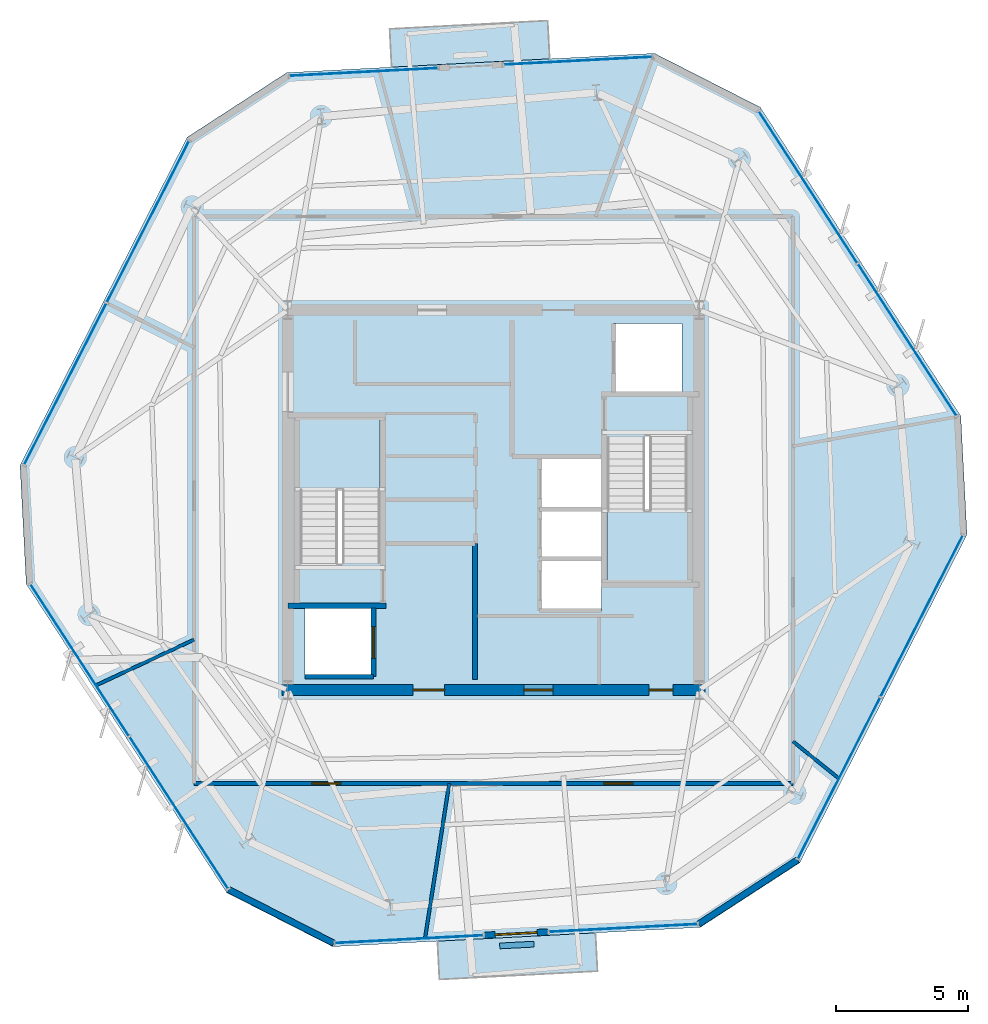
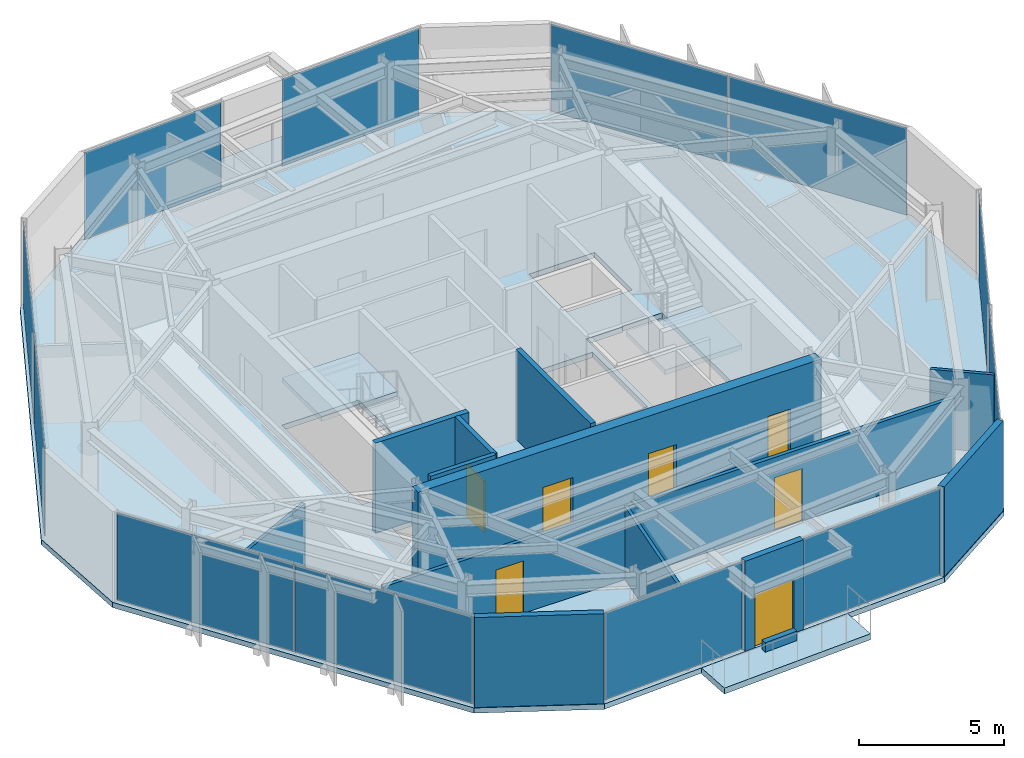
# One storey, part 5 of 11: 13 walls, 12 plates, 7 doors, 5 slabs, 7 openings, 10 elements without a shape of their own.
"""IFC4 building model written with IfcOpenShell, lengths in metres."""

import ifcopenshell
import ifcopenshell.guid

model = None  # the IFC model being written
_history = None  # IfcOwnerHistory: only IFC2X3 demands one
_inside = {}  # id of a spatial element -> (the spatial element, [elements in it])
_under = {}  # id of a project, library or spatial element -> (it, [spatial elements below it])
_declared = {}  # id of a project -> (the project, [libraries it declares])
_typed = {}  # id of a type object -> (the type object, [elements of that type])
_made_of = {}  # id of a material, layer set ... -> (it, [elements and type objects made of it])


def new_model(schema):
    """Start an empty IFC model of exactly this schema.

    Asked for "IFC4X3", IfcOpenShell would pick the latest addendum, in which some entities
    have other attributes; the version numbers below select the first issue.
    IFC2X3 requires an IfcOwnerHistory on every rooted entity: one is made here for all.
    """
    global model, _history
    if schema == "IFC4X3":
        model = ifcopenshell.file(schema_version=(4, 3, 0, 0))
    else:
        model = ifcopenshell.file(schema=schema)
    _inside.clear()
    _under.clear()
    _declared.clear()
    _typed.clear()
    _made_of.clear()
    _history = None
    if model.schema == "IFC2X3":
        org = make("IfcOrganization", Name="unknown")
        user = make(
            "IfcPersonAndOrganization",
            ThePerson=make("IfcPerson", FamilyName="unknown"),
            TheOrganization=org,
        )
        app = make(
            "IfcApplication",
            ApplicationDeveloper=org,
            Version="unknown",
            ApplicationFullName="unknown",
            ApplicationIdentifier="unknown",
        )
        _history = make(
            "IfcOwnerHistory",
            OwningUser=user,
            OwningApplication=app,
            ChangeAction="ADDED",
            CreationDate=0,
        )
    return model


def make(cls, **values):
    """One entity of the class cls with the attributes given. An attribute that is None is left unset."""
    return model.create_entity(
        cls, **{name: value for name, value in values.items() if value is not None}
    )


def rooted(cls, **values):
    """An entity with a GlobalId (a new one), such as an element, a storey or a relation."""
    return make(cls, GlobalId=ifcopenshell.guid.new(), OwnerHistory=_history, **values)


def si_unit(unit_type, name, prefix=None):
    """IfcSIUnit, for example si_unit("LENGTHUNIT", "METRE", prefix="MILLI")."""
    return make("IfcSIUnit", UnitType=unit_type, Prefix=prefix, Name=name)


def assignment(units):
    """IfcUnitAssignment: the units of a project."""
    return None if units is None else make("IfcUnitAssignment", Units=units)


def point(xyz):
    """IfcCartesianPoint."""
    return None if xyz is None else make("IfcCartesianPoint", Coordinates=xyz)


def direction(xyz):
    """IfcDirection."""
    return None if xyz is None else make("IfcDirection", DirectionRatios=xyz)


def frame(location, z_axis=None, x_axis=None):
    """IfcAxis2Placement3D, a coordinate frame: its origin and axes. An axis left out is left unset."""
    return make(
        "IfcAxis2Placement3D",
        Location=point(location),
        Axis=direction(z_axis),
        RefDirection=direction(x_axis),
    )


def frame_2d(location, x_axis=None):
    """IfcAxis2Placement2D, a coordinate frame in the plane: its origin and x axis."""
    return make(
        "IfcAxis2Placement2D", Location=point(location), RefDirection=direction(x_axis)
    )


def origin():
    """The frame at (0, 0, 0) with its axes left unset."""
    return frame((0.0, 0.0, 0.0))


def origin_2d():
    """The frame at (0, 0) in the plane with its x axis left unset."""
    return frame_2d((0.0, 0.0))


def place(relative_to, where):
    """IfcLocalPlacement: puts the frame where relative to a parent placement (None: the world)."""
    return make(
        "IfcLocalPlacement", PlacementRelTo=relative_to, RelativePlacement=where
    )


def context(
    kind, dimensions, precision=None, world=None, true_north=None, identifier=None
):
    """IfcGeometricRepresentationContext, for example the 3D "Model" context."""
    return make(
        "IfcGeometricRepresentationContext",
        ContextIdentifier=identifier,
        ContextType=kind,
        CoordinateSpaceDimension=dimensions,
        Precision=precision,
        WorldCoordinateSystem=world,
        TrueNorth=true_north,
    )


def subcontext(parent, identifier, kind, view, scale=None):
    """IfcGeometricRepresentationSubContext, for example "Body" below "Model"."""
    return make(
        "IfcGeometricRepresentationSubContext",
        ContextIdentifier=identifier,
        ContextType=kind,
        ParentContext=parent,
        TargetScale=scale,
        TargetView=view,
    )


def project(units=None, contexts=None):
    """IfcProject with its units and contexts."""
    return rooted(
        "IfcProject",
        Name="project",
        RepresentationContexts=contexts,
        UnitsInContext=assignment(units),
    )


def spatial(cls, under=None, at=None, **own):
    """A site, building, storey or space (cls), placed at a placement, below another one or the project."""
    s = rooted(cls, ObjectPlacement=at, **own)
    if under is not None:
        _under.setdefault(under.id(), (under, []))[1].append(s)
    return s


def polyline(points):
    """IfcPolyline through the points."""
    return make("IfcPolyline", Points=[point(p) for p in points])


def profile(cls, at=None, kind="AREA", **sizes):
    """A parametric profile (cls). Its sizes go by their IFC names, for example OverallWidth=200.0."""
    return make(cls, ProfileType=kind, Position=at, **sizes)


def rectangle(**sizes):
    """IfcRectangleProfileDef."""
    return profile("IfcRectangleProfileDef", **sizes)


def outline(outer, holes=None, kind="AREA"):
    """IfcArbitraryClosedProfileDef: a profile drawn as a closed curve; with holes, ...WithVoids."""
    if holes is None:
        return make("IfcArbitraryClosedProfileDef", ProfileType=kind, OuterCurve=outer)
    return make(
        "IfcArbitraryProfileDefWithVoids",
        ProfileType=kind,
        OuterCurve=outer,
        InnerCurves=holes,
    )


def extrude(swept, where, along, depth):
    """IfcExtrudedAreaSolid: the profile swept, set in the frame where, extruded along a direction by depth."""
    return make(
        "IfcExtrudedAreaSolid",
        SweptArea=swept,
        Position=where,
        ExtrudedDirection=direction(along),
        Depth=depth,
    )


def shape(context_of_items, identifier, shape_type, items):
    """IfcShapeRepresentation: the items that make up one representation, for example the "Body"."""
    return make(
        "IfcShapeRepresentation",
        ContextOfItems=context_of_items,
        RepresentationIdentifier=identifier,
        RepresentationType=shape_type,
        Items=items,
    )


def material(Name=None, Category=None):
    """IfcMaterial."""
    return make("IfcMaterial", Name=Name, Category=Category)


def layer(
    of_material, thickness, ventilated=None, Name=None, Category=None, Priority=None
):
    """IfcMaterialLayer: one layer of a wall or slab, of a material (None: an air gap)."""
    return make(
        "IfcMaterialLayer",
        Material=of_material,
        LayerThickness=thickness,
        IsVentilated=ventilated,
        Name=Name,
        Category=Category,
        Priority=Priority,
    )


def layer_set(layers, Name=None):
    """IfcMaterialLayerSet."""
    return make("IfcMaterialLayerSet", MaterialLayers=layers, LayerSetName=Name)


def made_of(thing, what):
    """Note that an element or type object is made of a material, layer set ...; save() writes the relation."""
    if what is not None:
        _made_of.setdefault(what.id(), (what, []))[1].append(thing)
    return thing


def type_object(cls, material=None, **own):
    """A type object (cls), such as IfcWallType, which elements share."""
    return made_of(rooted(cls, **own), material)


def element(
    cls,
    number,
    at=None,
    inside=None,
    cuts=None,
    type_object=None,
    material=None,
    context=None,
    identifier="Body",
    shape_type=None,
    held_by="IfcProductDefinitionShape",
    body=None,
    shapes=None,
    **own,
):
    """One element of the class cls, such as IfcWall. Its Tag is "e" and its number.

    at: its placement. inside: the storey or other place that contains it. cuts: it is an
    opening in that element (IfcRelVoidsElement). A single representation is given by context,
    identifier, shape_type and body (its items); several are given by shapes. held_by: the class
    of the entity that holds the representations. save() writes the other relations.
    """
    e = rooted(cls, Tag="e%d" % number, ObjectPlacement=at, **own)
    if body is not None:
        shapes = [shape(context, identifier, shape_type, body)]
    if shapes is not None:
        e.Representation = make(held_by, Representations=shapes)
    if inside is not None:
        _inside.setdefault(inside.id(), (inside, []))[1].append(e)
    if cuts is not None:
        rooted(
            "IfcRelVoidsElement", RelatingBuildingElement=cuts, RelatedOpeningElement=e
        )
    if type_object is not None:
        _typed.setdefault(type_object.id(), (type_object, []))[1].append(e)
    return made_of(e, material)


def fill(opening, filler):
    """IfcRelFillsElement: the door or window that sits in an opening."""
    return rooted(
        "IfcRelFillsElement",
        RelatingOpeningElement=opening,
        RelatedBuildingElement=filler,
    )


def aggregate(whole, parts):
    """IfcRelAggregates: a whole, such as a stair, and the parts it consists of."""
    return rooted("IfcRelAggregates", RelatingObject=whole, RelatedObjects=parts)


def save(model, path):
    """Write the relations noted so far, then the file.

    IfcRelAggregates (storeys below a building ...), IfcRelContainedInSpatialStructure (elements
    in a storey), IfcRelDefinesByType, IfcRelAssociatesMaterial and IfcRelDeclares: one each for
    every whole, place, type object, material and project.
    """
    for whole, parts in _under.values():
        aggregate(whole, parts)
    for where, things in _inside.values():
        rooted(
            "IfcRelContainedInSpatialStructure",
            RelatedElements=things,
            RelatingStructure=where,
        )
    for kind, things in _typed.values():
        rooted("IfcRelDefinesByType", RelatedObjects=things, RelatingType=kind)
    for what, things in _made_of.values():
        rooted("IfcRelAssociatesMaterial", RelatedObjects=things, RelatingMaterial=what)
    for by, libraries in _declared.values():
        rooted("IfcRelDeclares", RelatingContext=by, RelatedDefinitions=libraries)
    model.write(path)


model = new_model("IFC4")

# Units and contexts
model_context = context("Model", 3, precision=1e-05, world=origin(), true_north=direction((0.0, 1.0)))
body_context = subcontext(model_context, "Body", "Model", "MODEL_VIEW")
ifc_project = project(units=[si_unit("LENGTHUNIT", "METRE"), si_unit("AREAUNIT", "SQUARE_METRE"), si_unit("VOLUMEUNIT", "CUBIC_METRE"), si_unit("PLANEANGLEUNIT", "RADIAN"), si_unit("MASSUNIT", "GRAM", prefix="KILO")], contexts=[model_context])

# Site, building, storey
site_placement = place(None, origin())
site = spatial("IfcSite", under=ifc_project, at=site_placement, CompositionType="ELEMENT")
building_placement = place(site_placement, origin())
building = spatial("IfcBuilding", under=site, at=building_placement, Name="Kranzbogen Civic Tower", CompositionType="ELEMENT")
storey_placement = place(building_placement, frame((0.0, 0.0, 278.199951171875)))
storey = spatial("IfcBuildingStorey", under=building, at=storey_placement, Name="L67", CompositionType="ELEMENT", Elevation=278.199951171875)

# Slab
ifc_material_1 = material(Name="Concrete C40/50", Category="concrete")
ifc_layer_1 = layer(ifc_material_1, 0.219970703125, Name="Concrete C40/50")
ifc_layer_set_1 = layer_set([ifc_layer_1], Name="Concrete C40/50")
slab_type_1 = type_object("IfcSlabType", Name="Composite Upper Tower Floor Slab 220 mm", PredefinedType="FLOOR", material=ifc_layer_set_1)
slab_1_placement = place(storey_placement, frame((0.0, 0.0, -0.219970703125)))
element("IfcSlab", 1, at=slab_1_placement, inside=storey, type_object=slab_type_1, Name="L67 tower floor slab", PredefinedType="FLOOR", context=body_context, shape_type="SweptSolid", body=[
    extrude(outline(polyline([(31.10302734375, 41.93408203125), (17.159912109375, 41.202880859375), (13.385986328125, 38.7529296875), (7.048095703125, 26.31201171875), (7.282958984375, 21.818115234375), (14.886962890625, 10.10888671875), (18.89697265625, 8.06591796875), (32.840087890625, 8.797119140625), (36.614013671875, 11.2470703125), (42.951904296875, 23.68798828125), (42.717041015625, 28.181884765625), (35.113037109375, 39.89111328125), (31.10302734375, 41.93408203125)]), holes=[polyline([(17.85009765625, 20.89990234375), (20.449951171875, 20.89990234375), (20.449951171875, 18.300048828125), (17.85009765625, 18.300048828125), (17.85009765625, 20.89990234375)]), polyline([(29.10009765625, 22.699951171875), (29.10009765625, 20.800048828125), (26.75, 20.800048828125), (26.75, 22.699951171875), (29.10009765625, 22.699951171875)]), polyline([(29.10009765625, 24.64990234375), (29.10009765625, 22.77490234375), (26.75, 22.77490234375), (26.75, 24.64990234375), (26.75, 24.675048828125), (26.75, 26.550048828125), (29.10009765625, 26.550048828125), (29.10009765625, 24.675048828125), (29.10009765625, 24.64990234375)]), polyline([(29.300048828125, 27.340087890625), (30.75, 27.340087890625), (30.75, 27.39990234375), (32.35009765625, 27.39990234375), (32.35009765625, 21.89990234375), (29.300048828125, 21.89990234375), (29.300048828125, 27.340087890625)]), polyline([(20.699951171875, 22.659912109375), (19.25, 22.659912109375), (19.25, 22.60009765625), (17.64990234375, 22.60009765625), (17.64990234375, 28.10009765625), (20.699951171875, 28.10009765625), (20.699951171875, 22.659912109375)]), polyline([(32.14990234375, 31.699951171875), (32.14990234375, 29.10009765625), (29.550048828125, 29.10009765625), (29.550048828125, 31.699951171875), (32.14990234375, 31.699951171875)])]), origin(), (0.0, 0.0, 1.0), 0.219970703125),
])

# Curtain wall, plate
ifc_material_2 = material(Name="Pale Anodised Aluminium", Category="aluminium")
ifc_layer_2 = layer(ifc_material_2, 0.219970703125, Name="Pale Anodised Aluminium")
ifc_layer_set_2 = layer_set([ifc_layer_2], Name="Pale Anodised Aluminium")
curtain_wall_type = type_object("IfcCurtainWallType", Name="Zone 4 Stick Curtain Wall System CW-05", PredefinedType="USERDEFINED", material=ifc_layer_set_2)
curtain_wall_1_placement = place(storey_placement, origin())
curtain_wall_1 = element("IfcCurtainWall", 2, at=curtain_wall_1_placement, inside=storey, type_object=curtain_wall_type, Name="L67 curtain wall CW-L67-F1-S1", ObjectType="STICK CURTAIN WALL", PredefinedType="USERDEFINED")
ifc_material_3 = material(Name="Low-E Triple Glazing Glass", Category="glass")
ifc_layer_3 = layer(ifc_material_3, 0.028076171875, Name="Low-E Triple Glazing Glass")
ifc_layer_set_3 = layer_set([ifc_layer_3], Name="Low-E Triple Glazing Glass")
plate_type = type_object("IfcPlateType", Name="Insulated Low-E Glazing Panel 28 mm", PredefinedType="CURTAIN_PANEL", material=ifc_layer_set_3)
plate_1_placement = place(storey_placement, frame((28.196533203125, 41.652099609375, 0.06005859375), z_axis=(0.0, 0.0, 1.0), x_axis=(-0.998626979061, -0.052384699027, 0.0)))
plate_1 = element("IfcPlate", 3, at=plate_1_placement, type_object=plate_type, Name="CW-05 panel 1.1", PredefinedType="CURTAIN_PANEL", context=body_context, shape_type="SweptSolid", body=[
    extrude(rectangle(XDim=5.60693359375, YDim=0.028076171875, at=origin_2d()), origin(), (0.0, 0.0, 1.0), 3.659912109375),
])
aggregate(curtain_wall_1, [plate_1])

curtain_wall_2_placement = place(storey_placement, origin())
curtain_wall_2 = element("IfcCurtainWall", 4, at=curtain_wall_2_placement, inside=storey, type_object=curtain_wall_type, Name="L67 curtain wall CW-L67-F1-S2", ObjectType="STICK CURTAIN WALL", PredefinedType="USERDEFINED")
plate_2_placement = place(storey_placement, frame((20.08056640625, 41.22705078125, 0.06005859375), z_axis=(0.0, 0.0, 1.0), x_axis=(-0.998626979061, -0.052384699027, 0.0)))
plate_2 = element("IfcPlate", 5, at=plate_2_placement, type_object=plate_type, Name="CW-05 panel 1.1", PredefinedType="CURTAIN_PANEL", context=body_context, shape_type="SweptSolid", body=[
    extrude(rectangle(XDim=5.60693359375, YDim=0.028076171875, at=origin_2d()), origin(), (0.0, 0.0, 1.0), 3.659912109375),
])
aggregate(curtain_wall_2, [plate_2])

# Curtain wall, plates
curtain_wall_3_placement = place(storey_placement, origin())
curtain_wall_3 = element("IfcCurtainWall", 6, at=curtain_wall_3_placement, inside=storey, type_object=curtain_wall_type, Name="L67 curtain wall CW-L67-F2", ObjectType="STICK CURTAIN WALL", PredefinedType="USERDEFINED")
plate_3_placement = place(storey_placement, frame((11.897216796875, 35.546630859375, 0.06005859375), z_axis=(0.0, 0.0, 1.0), x_axis=(-0.453899828869, -0.891052717494, 0.0)))
plate_3 = element("IfcPlate", 7, at=plate_3_placement, type_object=plate_type, Name="CW-05 panel 1.1", PredefinedType="CURTAIN_PANEL", context=body_context, shape_type="SweptSolid", body=[
    extrude(rectangle(XDim=6.836669921875, YDim=0.028076171875, at=origin_2d()), origin(), (0.0, 0.0, 1.0), 3.659912109375),
])
plate_4_placement = place(storey_placement, frame((8.766845703125, 29.4013671875, 0.06005859375), z_axis=(0.0, 0.0, 1.0), x_axis=(-0.453899828869, -0.891052717494, 0.0)))
plate_4 = element("IfcPlate", 8, at=plate_4_placement, type_object=plate_type, Name="CW-05 panel 2.1", PredefinedType="CURTAIN_PANEL", context=body_context, shape_type="SweptSolid", body=[
    extrude(rectangle(XDim=6.836669921875, YDim=0.028076171875, at=origin_2d()), origin(), (0.0, 0.0, 1.0), 3.659912109375),
])
aggregate(curtain_wall_3, [plate_3, plate_4])

curtain_wall_4_placement = place(storey_placement, origin())
curtain_wall_4 = element("IfcCurtainWall", 9, at=curtain_wall_4_placement, inside=storey, type_object=curtain_wall_type, Name="L67 curtain wall CW-L67-F3", ObjectType="STICK CURTAIN WALL", PredefinedType="USERDEFINED")
plate_5_placement = place(storey_placement, frame((9.3154296875, 18.926025390625, 0.06005859375), z_axis=(0.0, 0.0, 1.0), x_axis=(0.544648305375, -0.838664547631, 0.0)))
plate_5 = element("IfcPlate", 10, at=plate_5_placement, type_object=plate_type, Name="CW-05 panel 1.1", PredefinedType="CURTAIN_PANEL", context=body_context, shape_type="SweptSolid", body=[
    extrude(rectangle(XDim=6.83642578125, YDim=0.028076171875, at=origin_2d()), origin(), (0.0, 0.0, 1.0), 3.659912109375),
])
plate_6_placement = place(storey_placement, frame((13.071533203125, 13.14208984375, 0.06005859375), z_axis=(0.0, 0.0, 1.0), x_axis=(0.544648305375, -0.838664547631, 0.0)))
plate_6 = element("IfcPlate", 11, at=plate_6_placement, type_object=plate_type, Name="CW-05 panel 2.1", PredefinedType="CURTAIN_PANEL", context=body_context, shape_type="SweptSolid", body=[
    extrude(rectangle(XDim=6.83642578125, YDim=0.028076171875, at=origin_2d()), origin(), (0.0, 0.0, 1.0), 3.659912109375),
])
aggregate(curtain_wall_4, [plate_5, plate_6])

# Curtain wall, plate
curtain_wall_5_placement = place(storey_placement, origin())
curtain_wall_5 = element("IfcCurtainWall", 12, at=curtain_wall_5_placement, inside=storey, type_object=curtain_wall_type, Name="L67 curtain wall CW-L67-F4-S1", ObjectType="STICK CURTAIN WALL", PredefinedType="USERDEFINED")
plate_7_placement = place(storey_placement, frame((21.803466796875, 8.347900390625, 0.06005859375), z_axis=(0.0, 0.0, 1.0), x_axis=(0.998626979061, 0.052384699027, 0.0)))
plate_7 = element("IfcPlate", 13, at=plate_7_placement, type_object=plate_type, Name="CW-05 panel 1.1", PredefinedType="CURTAIN_PANEL", context=body_context, shape_type="SweptSolid", body=[
    extrude(rectangle(XDim=5.60693359375, YDim=0.028076171875, at=origin_2d()), origin(), (0.0, 0.0, 1.0), 3.659912109375),
])
aggregate(curtain_wall_5, [plate_7])

curtain_wall_6_placement = place(storey_placement, origin())
curtain_wall_6 = element("IfcCurtainWall", 14, at=curtain_wall_6_placement, inside=storey, type_object=curtain_wall_type, Name="L67 curtain wall CW-L67-F4-S2", ObjectType="STICK CURTAIN WALL", PredefinedType="USERDEFINED")
plate_8_placement = place(storey_placement, frame((29.91943359375, 8.77294921875, 0.06005859375), z_axis=(0.0, 0.0, 1.0), x_axis=(0.998626979061, 0.052384699027, 0.0)))
plate_8 = element("IfcPlate", 15, at=plate_8_placement, type_object=plate_type, Name="CW-05 panel 1.1", PredefinedType="CURTAIN_PANEL", context=body_context, shape_type="SweptSolid", body=[
    extrude(rectangle(XDim=5.60693359375, YDim=0.028076171875, at=origin_2d()), origin(), (0.0, 0.0, 1.0), 3.659912109375),
])
aggregate(curtain_wall_6, [plate_8])

# Curtain wall, plates
curtain_wall_7_placement = place(storey_placement, origin())
curtain_wall_7 = element("IfcCurtainWall", 16, at=curtain_wall_7_placement, inside=storey, type_object=curtain_wall_type, Name="L67 curtain wall CW-L67-F5", ObjectType="STICK CURTAIN WALL", PredefinedType="USERDEFINED")
plate_9_placement = place(storey_placement, frame((38.102783203125, 14.453369140625, 0.06005859375), z_axis=(0.0, 0.0, 1.0), x_axis=(0.453899828869, 0.891052717494, 0.0)))
plate_9 = element("IfcPlate", 17, at=plate_9_placement, type_object=plate_type, Name="CW-05 panel 1.1", PredefinedType="CURTAIN_PANEL", context=body_context, shape_type="SweptSolid", body=[
    extrude(rectangle(XDim=6.836669921875, YDim=0.028076171875, at=origin_2d()), origin(), (0.0, 0.0, 1.0), 3.659912109375),
])
plate_10_placement = place(storey_placement, frame((41.233154296875, 20.5986328125, 0.06005859375), z_axis=(0.0, 0.0, 1.0), x_axis=(0.453899828869, 0.891052717494, 0.0)))
plate_10 = element("IfcPlate", 18, at=plate_10_placement, type_object=plate_type, Name="CW-05 panel 2.1", PredefinedType="CURTAIN_PANEL", context=body_context, shape_type="SweptSolid", body=[
    extrude(rectangle(XDim=6.836669921875, YDim=0.028076171875, at=origin_2d()), origin(), (0.0, 0.0, 1.0), 3.659912109375),
])
aggregate(curtain_wall_7, [plate_9, plate_10])

curtain_wall_8_placement = place(storey_placement, origin())
curtain_wall_8 = element("IfcCurtainWall", 19, at=curtain_wall_8_placement, inside=storey, type_object=curtain_wall_type, Name="L67 curtain wall CW-L67-F6", ObjectType="STICK CURTAIN WALL", PredefinedType="USERDEFINED")
plate_11_placement = place(storey_placement, frame((40.6845703125, 31.073974609375, 0.06005859375), z_axis=(0.0, 0.0, 1.0), x_axis=(-0.544648305375, 0.838664547631, 0.0)))
plate_11 = element("IfcPlate", 20, at=plate_11_placement, type_object=plate_type, Name="CW-05 panel 1.1", PredefinedType="CURTAIN_PANEL", context=body_context, shape_type="SweptSolid", body=[
    extrude(rectangle(XDim=6.83642578125, YDim=0.028076171875, at=origin_2d()), origin(), (0.0, 0.0, 1.0), 3.659912109375),
])
plate_12_placement = place(storey_placement, frame((36.928466796875, 36.85791015625, 0.06005859375), z_axis=(0.0, 0.0, 1.0), x_axis=(-0.544648305375, 0.838664547631, 0.0)))
plate_12 = element("IfcPlate", 21, at=plate_12_placement, type_object=plate_type, Name="CW-05 panel 2.1", PredefinedType="CURTAIN_PANEL", context=body_context, shape_type="SweptSolid", body=[
    extrude(rectangle(XDim=6.83642578125, YDim=0.028076171875, at=origin_2d()), origin(), (0.0, 0.0, 1.0), 3.659912109375),
])
aggregate(curtain_wall_8, [plate_11, plate_12])

# Stair, slab
ifc_material_4 = material(Name="Precast concrete C40/50", Category="concrete")
stair_type_1 = type_object("IfcStairType", Name="Tower Core Pressurized Dogleg Stair 1450", PredefinedType="HALF_TURN_STAIR", material=ifc_material_4)
stair_1_placement = place(storey_placement, origin())
stair_1 = element("IfcStair", 22, at=stair_1_placement, inside=storey, type_object=stair_type_1, Name="L67 Tower Core Pressurized Stair 1", PredefinedType="HALF_TURN_STAIR")
ifc_layer_4 = layer(ifc_material_4, 0.199951171875, Name="Precast concrete C40/50")
ifc_layer_set_4 = layer_set([ifc_layer_4], Name="Precast concrete C40/50")
slab_type_2 = type_object("IfcSlabType", Name="Precast Concrete Stair Landing Slab 200 mm", PredefinedType="LANDING", material=ifc_layer_set_4)
slab_2_placement = place(storey_placement, frame((0.0, 0.0, 1.800048828125)))
slab_2 = element("IfcSlab", 23, at=slab_2_placement, type_object=slab_type_2, Name="ST-T1 landing 1", PredefinedType="LANDING", context=body_context, shape_type="SweptSolid", body=[
    extrude(outline(polyline([(20.699951171875, 25.39990234375), (20.699951171875, 28.10009765625), (17.64990234375, 28.10009765625), (17.64990234375, 25.39990234375), (20.699951171875, 25.39990234375)])), origin(), (0.0, 0.0, 1.0), 0.199951171875),
])
aggregate(stair_1, [slab_2])

stair_type_2 = type_object("IfcStairType", Name="Tower Core Secondary Dogleg Stair 1450", PredefinedType="HALF_TURN_STAIR", material=ifc_material_4)
stair_2_placement = place(storey_placement, origin())
stair_2 = element("IfcStair", 24, at=stair_2_placement, inside=storey, type_object=stair_type_2, Name="L67 Tower Core Pressurized Stair 2", PredefinedType="HALF_TURN_STAIR")
slab_3_placement = place(storey_placement, frame((0.0, 0.0, 1.800048828125)))
slab_3 = element("IfcSlab", 25, at=slab_3_placement, type_object=slab_type_2, Name="ST-T2 landing 1", PredefinedType="LANDING", context=body_context, shape_type="SweptSolid", body=[
    extrude(outline(polyline([(29.300048828125, 24.60009765625), (29.300048828125, 21.89990234375), (32.35009765625, 21.89990234375), (32.35009765625, 24.60009765625), (29.300048828125, 24.60009765625)])), origin(), (0.0, 0.0, 1.0), 0.199951171875),
])
aggregate(stair_2, [slab_3])

# Slabs
ifc_layer_5 = layer(ifc_material_1, 0.25, Name="Concrete C40/50")
ifc_layer_set_5 = layer_set([ifc_layer_5], Name="Concrete C40/50")
slab_type_3 = type_object("IfcSlabType", Name="Tree Balcony Cantilevered Slab 250 mm", PredefinedType="FLOOR", material=ifc_layer_set_5)
slab_4_placement = place(storey_placement, frame((0.0, 0.0, -0.25)))
element("IfcSlab", 26, at=slab_4_placement, inside=storey, type_object=slab_type_3, Name="L67 cantilevered tree balcony L67-TB1", PredefinedType="FLOOR", context=body_context, shape_type="SweptSolid", body=[
    extrude(outline(polyline([(27.1279296875, 41.72607421875), (21.135986328125, 41.412109375), (21.06005859375, 42.860107421875), (27.052001953125, 43.174072265625), (27.1279296875, 41.72607421875)])), origin(), (0.0, 0.0, 1.0), 0.25),
])
slab_5_placement = place(storey_placement, frame((0.0, 0.0, -0.25)))
element("IfcSlab", 27, at=slab_5_placement, inside=storey, type_object=slab_type_3, Name="L67 cantilevered tree balcony L67-TB2", PredefinedType="FLOOR", context=body_context, shape_type="SweptSolid", body=[
    extrude(outline(polyline([(22.8720703125, 8.27392578125), (28.864013671875, 8.587890625), (28.93994140625, 7.139892578125), (22.947998046875, 6.825927734375), (22.8720703125, 8.27392578125)])), origin(), (0.0, 0.0, 1.0), 0.25),
])

# Wall, openings, doors
ifc_material_5 = material(Name="Double-Stud Acoustic Gypsum Partition")
ifc_layer_6 = layer(ifc_material_5, 0.14990234375, Name="Double-Stud Acoustic Gypsum Partition")
ifc_layer_set_6 = layer_set([ifc_layer_6], Name="Double-Stud Acoustic Gypsum Partition")
wall_type_1 = type_object("IfcWallType", Name="Acoustic Corridor and Clinical Partition 150 mm", PredefinedType="PARTITIONING", material=ifc_layer_set_6)
wall_1_placement = place(storey_placement, frame((36.35009765625, 14.25, 0.0), z_axis=(0.0, 0.0, 1.0), x_axis=(-1.0, 0.0, 0.0)))
wall_1 = element("IfcWall", 28, at=wall_1_placement, inside=storey, type_object=wall_type_1, Name="L67 corridor partition 03", PredefinedType="PARTITIONING", context=body_context, shape_type="SweptSolid", body=[
    extrude(rectangle(XDim=22.7001953125, YDim=0.14990234375, at=frame_2d((11.35009765625, 0.0))), origin(), (0.0, 0.0, 1.0), 3.050048828125),
])
opening_1_placement = place(wall_1_placement, frame((17.136962890625, 0.0, 0.0)))
opening_1 = element("IfcOpeningElement", 29, at=opening_1_placement, cuts=wall_1, Name="Opening D-COR60", PredefinedType="OPENING", context=body_context, shape_type="SweptSolid", body=[
    extrude(rectangle(XDim=1.10009765625, YDim=2.199951171875, at=frame_2d((0.550048828125, 1.10009765625))), frame((0.0, 0.0849609375, 0.0), z_axis=(0.0, -1.0, 0.0), x_axis=(1.0, 0.0, 0.0)), (0.0, 0.0, 1.0), 0.169921875),
])
opening_2_placement = place(wall_1_placement, frame((6.06396484375, 0.0, 0.0)))
opening_2 = element("IfcOpeningElement", 30, at=opening_2_placement, cuts=wall_1, Name="Opening D-COR60", PredefinedType="OPENING", context=body_context, shape_type="SweptSolid", body=[
    extrude(rectangle(XDim=1.10009765625, YDim=2.199951171875, at=frame_2d((0.550048828125, 1.10009765625))), frame((0.0, 0.0849609375, 0.0), z_axis=(0.0, -1.0, 0.0), x_axis=(1.0, 0.0, 0.0)), (0.0, 0.0, 1.0), 0.169921875),
])
ifc_material_6 = material(Name="Oak Timber and Fire Core", Category="wood")
door_type_1 = type_object("IfcDoorType", Name="Corridor Acoustic Fire Door 1100x2200", OperationType="NOTDEFINED", PredefinedType="DOOR", material=ifc_material_6)
door_1_placement = place(opening_1_placement, origin())
door_1 = element("IfcDoor", 31, at=door_1_placement, inside=storey, type_object=door_type_1, Name="L67 Municipal Exhibition Showroom door", OperationType="SINGLE_SWING_LEFT", OverallHeight=2.199951171875, OverallWidth=1.10009765625, PredefinedType="DOOR", context=body_context, shape_type="SweptSolid", body=[
    extrude(rectangle(XDim=1.10009765625, YDim=2.199951171875, at=frame_2d((0.550048828125, 1.10009765625))), frame((0.0, 0.02490234375, 0.0), z_axis=(0.0, -1.0, 0.0), x_axis=(1.0, 0.0, 0.0)), (0.0, 0.0, 1.0), 0.050048828125),
])
fill(opening_1, door_1)
door_2_placement = place(opening_2_placement, origin())
door_2 = element("IfcDoor", 32, at=door_2_placement, inside=storey, type_object=door_type_1, Name="L67 Licensing Information Kiosk door", OperationType="SINGLE_SWING_RIGHT", OverallHeight=2.199951171875, OverallWidth=1.10009765625, PredefinedType="DOOR", context=body_context, shape_type="SweptSolid", body=[
    extrude(rectangle(XDim=1.10009765625, YDim=2.199951171875, at=frame_2d((0.550048828125, 1.10009765625))), frame((0.0, 0.02490234375, 0.0), z_axis=(0.0, -1.0, 0.0), x_axis=(1.0, 0.0, 0.0)), (0.0, 0.0, 1.0), 0.050048828125),
])
fill(opening_2, door_2)

# Walls
ifc_material_7 = material(Name="Insulated Metal-Stud Gypsum Partition")
ifc_layer_7 = layer(ifc_material_7, 0.125, Name="Insulated Metal-Stud Gypsum Partition")
ifc_layer_set_7 = layer_set([ifc_layer_7], Name="Insulated Metal-Stud Gypsum Partition")
wall_type_2 = type_object("IfcWallType", Name="Acoustic Inter-Room Partition 125 mm", PredefinedType="PARTITIONING", material=ifc_layer_set_7)
wall_2_placement = place(storey_placement, frame((13.64990234375, 19.70703125, 0.0), z_axis=(0.0, 0.0, 1.0), x_axis=(-0.906322049944, -0.422587673489, 0.0)))
element("IfcWall", 33, at=wall_2_placement, inside=storey, type_object=wall_type_2, Name="L67 radial room partition 03", PredefinedType="PARTITIONING", context=body_context, shape_type="SweptSolid", body=[
    extrude(rectangle(XDim=4.08447265625, YDim=0.125, at=frame_2d((2.042236328125, 0.0))), origin(), (0.0, 0.0, 1.0), 3.219970703125),
])
wall_3_placement = place(storey_placement, frame((23.320068359375, 14.25, 0.0), z_axis=(0.0, 0.0, 1.0), x_axis=(-0.154248687159, -0.988032055406, 0.0)))
element("IfcWall", 34, at=wall_3_placement, inside=storey, type_object=wall_type_2, Name="L67 radial room partition 04", PredefinedType="PARTITIONING", context=body_context, shape_type="SweptSolid", body=[
    extrude(rectangle(XDim=5.92578125, YDim=0.125, at=frame_2d((2.962890625, 0.0))), origin(), (0.0, 0.0, 1.0), 3.050048828125),
])
wall_4_placement = place(storey_placement, frame((36.35009765625, 15.847900390625, 0.0), z_axis=(0.0, 0.0, 1.0), x_axis=(0.778316237, -0.627872467323, 0.0)))
element("IfcWall", 35, at=wall_4_placement, inside=storey, type_object=wall_type_2, Name="L67 radial room partition 05", PredefinedType="PARTITIONING", context=body_context, shape_type="SweptSolid", body=[
    extrude(rectangle(XDim=2.2265625, YDim=0.125, at=frame_2d((1.11328125, 0.0))), origin(), (0.0, 0.0, 1.0), 3.280029296875),
])
ifc_material_8 = material(Name="Architectural Precast Terracotta Concrete C40/50", Category="masonry")
ifc_layer_8 = layer(ifc_material_8, 0.219970703125, Name="Architectural Precast Terracotta Concrete C40/50")
ifc_layer_set_8 = layer_set([ifc_layer_8], Name="Architectural Precast Terracotta Concrete C40/50")
wall_type_3 = type_object("IfcWallType", Name="Architectural Tree Planter Kerb Wall 220 mm", PredefinedType="USERDEFINED", material=ifc_layer_set_8)
wall_5_placement = place(storey_placement, frame((25.235107421875, 8.093017578125, 0.0), z_axis=(0.0, 0.0, 1.0), x_axis=(0.998635416873, 0.052223597797, 0.0)))
element("IfcWall", 36, at=wall_5_placement, inside=storey, type_object=wall_type_3, Name="L67 landscaped tree balcony planter L67-TB2", ObjectType="PLANTER_WALL", PredefinedType="USERDEFINED", context=body_context, shape_type="SweptSolid", body=[
    extrude(rectangle(XDim=1.299560546875, YDim=0.219970703125, at=frame_2d((0.64990234375, 0.0))), origin(), (0.0, 0.0, 1.0), 0.400146484375),
])

# Wall, openings, doors
ifc_material_9 = material(Name="Concrete C45/55", Category="concrete")
ifc_layer_9 = layer(ifc_material_9, 0.419921875, Name="Concrete C45/55")
ifc_layer_set_9 = layer_set([ifc_layer_9], Name="Concrete C45/55")
wall_type_4 = type_object("IfcWallType", Name="Central Core Shear Wall 420 mm", PredefinedType="SHEAR", material=ifc_layer_set_9)
wall_6_placement = place(storey_placement, frame((16.989990234375, 17.800048828125, 0.0), z_axis=(0.0, 0.0, 1.0), x_axis=(1.0, 0.0, 0.0)))
wall_6 = element("IfcWall", 37, at=wall_6_placement, inside=storey, type_object=wall_type_4, Name="L67 central core South shear wall", PredefinedType="SHEAR", context=body_context, shape_type="SweptSolid", body=[
    extrude(rectangle(XDim=16.02001953125, YDim=0.419921875, at=frame_2d((8.010009765625, 0.0))), origin(), (0.0, 0.0, 1.0), 3.780029296875),
])
opening_3_placement = place(wall_6_placement, frame((4.9599609375, 0.0, 0.0)))
opening_3 = element("IfcOpeningElement", 38, at=opening_3_placement, cuts=wall_6, Name="Opening D-EX120", PredefinedType="OPENING", context=body_context, shape_type="SweptSolid", body=[
    extrude(rectangle(XDim=1.199951171875, YDim=2.25, at=frame_2d((0.60009765625, 1.125))), frame((0.0, 0.219970703125, 0.0), z_axis=(0.0, -1.0, 0.0), x_axis=(1.0, 0.0, 0.0)), (0.0, 0.0, 1.0), 0.43994140625),
])
opening_4_placement = place(wall_6_placement, frame((13.909912109375, 0.0, 0.0)))
opening_4 = element("IfcOpeningElement", 39, at=opening_4_placement, cuts=wall_6, Name="Opening D-WC90", PredefinedType="OPENING", context=body_context, shape_type="SweptSolid", body=[
    extrude(rectangle(XDim=0.89990234375, YDim=2.10009765625, at=frame_2d((0.449951171875, 1.050048828125))), frame((0.0, 0.219970703125, 0.0), z_axis=(0.0, -1.0, 0.0), x_axis=(1.0, 0.0, 0.0)), (0.0, 0.0, 1.0), 0.43994140625),
])
opening_5_placement = place(wall_6_placement, frame((9.159912109375, 0.0, 0.0)))
opening_5 = element("IfcOpeningElement", 40, at=opening_5_placement, cuts=wall_6, Name="Opening D-COR60", PredefinedType="OPENING", context=body_context, shape_type="SweptSolid", body=[
    extrude(rectangle(XDim=1.10009765625, YDim=2.199951171875, at=frame_2d((0.550048828125, 1.10009765625))), frame((0.0, 0.219970703125, 0.0), z_axis=(0.0, -1.0, 0.0), x_axis=(1.0, 0.0, 0.0)), (0.0, 0.0, 1.0), 0.43994140625),
])
door_3_placement = place(opening_5_placement, origin())
door_3 = element("IfcDoor", 41, at=door_3_placement, inside=storey, type_object=door_type_1, Name="L67 REC1 archive room door", OperationType="SINGLE_SWING_RIGHT", OverallHeight=2.199951171875, OverallWidth=1.10009765625, PredefinedType="DOOR", context=body_context, shape_type="SweptSolid", body=[
    extrude(rectangle(XDim=1.10009765625, YDim=2.199951171875, at=frame_2d((0.550048828125, 1.10009765625))), frame((0.0, 0.02490234375, 0.0), z_axis=(0.0, -1.0, 0.0), x_axis=(1.0, 0.0, 0.0)), (0.0, 0.0, 1.0), 0.050048828125),
])
fill(opening_5, door_3)
ifc_material_10 = material(Name="Steel S355", Category="steel")
door_type_2 = type_object("IfcDoorType", Name="Exit Passageway Fire Door 1200x2250", OperationType="NOTDEFINED", PredefinedType="DOOR", material=ifc_material_10)
door_4_placement = place(opening_3_placement, origin())
door_4 = element("IfcDoor", 42, at=door_4_placement, inside=storey, type_object=door_type_2, Name="L67 West firefighting lobby corridor door", OperationType="SINGLE_SWING_RIGHT", OverallHeight=2.25, OverallWidth=1.199951171875, PredefinedType="DOOR", context=body_context, shape_type="SweptSolid", body=[
    extrude(rectangle(XDim=1.199951171875, YDim=2.25, at=frame_2d((0.60009765625, 1.125))), frame((0.0, 0.02490234375, 0.0), z_axis=(0.0, -1.0, 0.0), x_axis=(1.0, 0.0, 0.0)), (0.0, 0.0, 1.0), 0.050048828125),
])
fill(opening_3, door_4)
ifc_material_11 = material(Name="Moisture-Resistant Laminate")
door_type_3 = type_object("IfcDoorType", Name="Standard Restroom and Store Door 900x2100", OperationType="NOTDEFINED", PredefinedType="DOOR", material=ifc_material_11)
door_5_placement = place(opening_4_placement, origin())
door_5 = element("IfcDoor", 43, at=door_5_placement, inside=storey, type_object=door_type_3, Name="L67 East electrical riser access door", OperationType="SINGLE_SWING_LEFT", OverallHeight=2.10009765625, OverallWidth=0.89990234375, PredefinedType="DOOR", context=body_context, shape_type="SweptSolid", body=[
    extrude(rectangle(XDim=0.89990234375, YDim=2.10009765625, at=frame_2d((0.449951171875, 1.050048828125))), frame((0.0, 0.02490234375, 0.0), z_axis=(0.0, -1.0, 0.0), x_axis=(1.0, 0.0, 0.0)), (0.0, 0.0, 1.0), 0.050048828125),
])
fill(opening_4, door_5)

# Walls
ifc_layer_10 = layer(ifc_material_9, 0.219970703125, Name="Concrete C45/55")
ifc_layer_set_10 = layer_set([ifc_layer_10], Name="Concrete C45/55")
wall_type_5 = type_object("IfcWallType", Name="Core Internal Stair Structural Wall 220 mm", PredefinedType="SOLIDWALL", material=ifc_layer_set_10)
wall_7_placement = place(storey_placement, frame((17.199951171875, 20.989990234375, 0.0), z_axis=(0.0, 0.0, 1.0), x_axis=(1.0, 0.0, 0.0)))
element("IfcWall", 44, at=wall_7_placement, inside=storey, type_object=wall_type_5, Name="L67 ST-T1 South structural stair wall", PredefinedType="SOLIDWALL", context=body_context, shape_type="SweptSolid", body=[
    extrude(rectangle(XDim=3.719970703125, YDim=0.219970703125, at=frame_2d((1.85986328125, 0.0))), origin(), (0.0, 0.0, 1.0), 3.780029296875),
])
ifc_material_12 = material(Name="Gypsum Fireboard and Concrete Block", Category="concrete")
ifc_layer_11 = layer(ifc_material_12, 0.199951171875, Name="Gypsum Fireboard and Concrete Block")
ifc_layer_set_11 = layer_set([ifc_layer_11], Name="Gypsum Fireboard and Concrete Block")
wall_type_6 = type_object("IfcWallType", Name="Fire-Rated Exit Passageway and Stair Wall 200 mm", PredefinedType="PARTITIONING", material=ifc_layer_set_11)
wall_8_placement = place(storey_placement, frame((24.300048828125, 18.199951171875, 0.0), z_axis=(0.0, 0.0, 1.0), x_axis=(0.0, 1.0, 0.0)))
element("IfcWall", 45, at=wall_8_placement, inside=storey, type_object=wall_type_6, Name="L67 West firefighting lobby East wall", PredefinedType="PARTITIONING", context=body_context, shape_type="SweptSolid", body=[
    extrude(rectangle(XDim=5.150146484375, YDim=0.199951171875, at=frame_2d((2.5751953125, 0.0))), origin(), (0.0, 0.0, 1.0), 3.780029296875),
])

# Wall, opening, door
ifc_material_13 = material(Name="Gypsum Fireboard Shaftliner")
ifc_layer_12 = layer(ifc_material_13, 0.175048828125, Name="Gypsum Fireboard Shaftliner")
ifc_layer_set_12 = layer_set([ifc_layer_12], Name="Gypsum Fireboard Shaftliner")
wall_type_7 = type_object("IfcWallType", Name="Fire-Rated Lift and Service Shaft Wall 175 mm", PredefinedType="PARTITIONING", material=ifc_layer_set_12)
wall_9_placement = place(storey_placement, frame((20.449951171875, 18.300048828125, 0.0), z_axis=(0.0, 0.0, 1.0), x_axis=(0.0, 1.0, 0.0)))
wall_9 = element("IfcWall", 46, at=wall_9_placement, inside=storey, type_object=wall_type_7, Name="L67 lift FF-01 landing wall", PredefinedType="PARTITIONING", context=body_context, shape_type="SweptSolid", body=[
    extrude(rectangle(XDim=2.599853515625, YDim=0.175048828125, at=frame_2d((1.2998046875, 0.0))), origin(), (0.0, 0.0, 1.0), 3.780029296875),
])
opening_6_placement = place(wall_9_placement, frame((0.699951171875, 0.0, 0.0)))
opening_6 = element("IfcOpeningElement", 47, at=opening_6_placement, cuts=wall_9, Name="Opening LD-FF-01", PredefinedType="OPENING", context=body_context, shape_type="SweptSolid", body=[
    extrude(rectangle(XDim=1.199951171875, YDim=2.199951171875, at=frame_2d((0.60009765625, 1.10009765625))), frame((0.0, 0.09765625, 0.0), z_axis=(0.0, -1.0, 0.0), x_axis=(1.0, 0.0, 0.0)), (0.0, 0.0, 1.0), 0.195068359375),
])
door_type_4 = type_object("IfcDoorType", Name="Firefighting and Stretcher Lift Sliding Landing Door 1200x2200", OperationType="DOUBLE_DOOR_SLIDING", PredefinedType="DOOR", material=ifc_material_2)
door_6_placement = place(opening_6_placement, origin())
door_6 = element("IfcDoor", 48, at=door_6_placement, inside=storey, type_object=door_type_4, Name="L67 lift FF-01 sliding landing door", OperationType="DOUBLE_DOOR_SLIDING", OverallHeight=2.199951171875, OverallWidth=1.199951171875, PredefinedType="DOOR", context=body_context, shape_type="SweptSolid", body=[
    extrude(rectangle(XDim=1.199951171875, YDim=2.199951171875, at=frame_2d((0.60009765625, 1.10009765625))), frame((0.0, 0.02490234375, 0.0), z_axis=(0.0, -1.0, 0.0), x_axis=(1.0, 0.0, 0.0)), (0.0, 0.0, 1.0), 0.050048828125),
])
fill(opening_6, door_6)

# Walls
wall_10_placement = place(storey_placement, frame((17.85009765625, 18.300048828125, 0.0), z_axis=(0.0, 0.0, 1.0), x_axis=(1.0, 0.0, 0.0)))
element("IfcWall", 49, at=wall_10_placement, inside=storey, type_object=wall_type_7, Name="L67 lift FF-01 side wall", PredefinedType="PARTITIONING", context=body_context, shape_type="SweptSolid", body=[
    extrude(rectangle(XDim=2.599853515625, YDim=0.175048828125, at=frame_2d((1.2998046875, 0.0))), origin(), (0.0, 0.0, 1.0), 3.780029296875),
])
ifc_layer_13 = layer(ifc_material_2, 0.239990234375, Name="Pale Anodised Aluminium")
ifc_layer_set_13 = layer_set([ifc_layer_13], Name="Pale Anodised Aluminium")
wall_type_8 = type_object("IfcWallType", Name="Insulated Aluminium Facade Portal Wall 240 mm", PredefinedType="STANDARD", material=ifc_layer_set_13)
wall_11_placement = place(storey_placement, frame((14.966064453125, 10.22509765625, 0.0), z_axis=(0.0, 0.0, 1.0), x_axis=(0.890988997793, -0.454024895586, 0.0)))
element("IfcWall", 50, at=wall_11_placement, inside=storey, type_object=wall_type_8, Name="L67 chamfered corner facade spandrel 3", PredefinedType="STANDARD", context=body_context, shape_type="SweptSolid", body=[
    extrude(rectangle(XDim=4.46484375, YDim=0.239990234375, at=frame_2d((2.232421875, 0.0))), origin(), (0.0, 0.0, 1.0), 3.780029296875),
])

# Wall, opening, door
wall_12_placement = place(storey_placement, frame((24.6630859375, 8.498046875, 0.0), z_axis=(0.0, 0.0, 1.0), x_axis=(0.998643002132, 0.052078347636, 0.0)))
wall_12 = element("IfcWall", 51, at=wall_12_placement, inside=storey, type_object=wall_type_8, Name="L67 exterior entrance portal wall 1", PredefinedType="STANDARD", context=body_context, shape_type="SweptSolid", body=[
    extrude(rectangle(XDim=2.400146484375, YDim=0.239990234375, at=frame_2d((1.2001953125, 0.0))), origin(), (0.0, 0.0, 1.0), 3.780029296875),
])
opening_7_placement = place(wall_12_placement, frame((0.39990234375, 0.0, 0.0)))
opening_7 = element("IfcOpeningElement", 52, at=opening_7_placement, cuts=wall_12, Name="Opening D-TER", PredefinedType="OPENING", context=body_context, shape_type="SweptSolid", body=[
    extrude(rectangle(XDim=1.60009765625, YDim=2.25, at=frame_2d((0.800048828125, 1.125))), frame((0.0, 0.1298828125, 0.0), z_axis=(0.0, -1.0, 0.0), x_axis=(1.0, 0.0, 0.0)), (0.0, 0.0, 1.0), 0.260009765625),
])
ifc_material_14 = material(Name="Anodised Bronze and Triple Glass", Category="glass")
door_type_5 = type_object("IfcDoorType", Name="Glazed Terrace and Balcony Double Door 1600x2250", OperationType="DOUBLE_DOOR_SINGLE_SWING", PredefinedType="DOOR", material=ifc_material_14)
door_7_placement = place(opening_7_placement, frame((1.60009765625, 0.0, 0.0), z_axis=(0.0, 0.0, 1.0), x_axis=(-1.0, 0.0, 0.0)))
door_7 = element("IfcDoor", 53, at=door_7_placement, inside=storey, type_object=door_type_5, Name="L67 tree balcony access door L67-TB2", OperationType="DOUBLE_DOOR_SINGLE_SWING", OverallHeight=2.25, OverallWidth=1.60009765625, PredefinedType="DOOR", context=body_context, shape_type="SweptSolid", body=[
    extrude(rectangle(XDim=1.60009765625, YDim=2.25, at=frame_2d((0.800048828125, 1.125))), frame((0.0, 0.02490234375, 0.0), z_axis=(0.0, -1.0, 0.0), x_axis=(1.0, 0.0, 0.0)), (0.0, 0.0, 1.0), 0.050048828125),
])
fill(opening_7, door_7)

# Wall
wall_13_placement = place(storey_placement, frame((32.779052734375, 8.923095703125, 0.0), z_axis=(0.0, 0.0, 1.0), x_axis=(0.838777032967, 0.544475058169, 0.0)))
element("IfcWall", 54, at=wall_13_placement, inside=storey, type_object=wall_type_8, Name="L67 chamfered corner facade spandrel 4", PredefinedType="STANDARD", context=body_context, shape_type="SweptSolid", body=[
    extrude(rectangle(XDim=4.464599609375, YDim=0.239990234375, at=frame_2d((2.232421875, 0.0))), origin(), (0.0, 0.0, 1.0), 3.780029296875),
])

save(model, "model.ifc")
